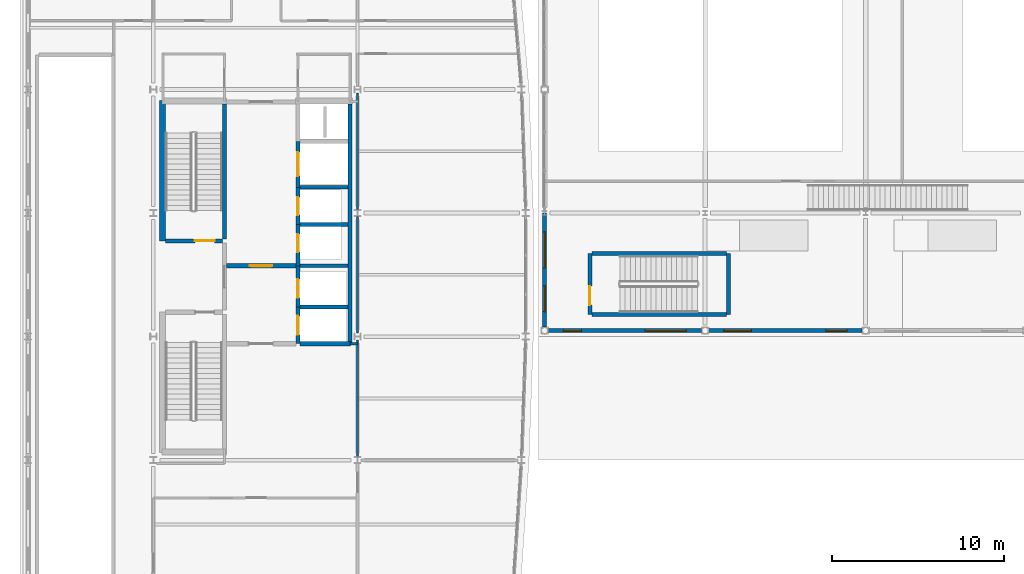
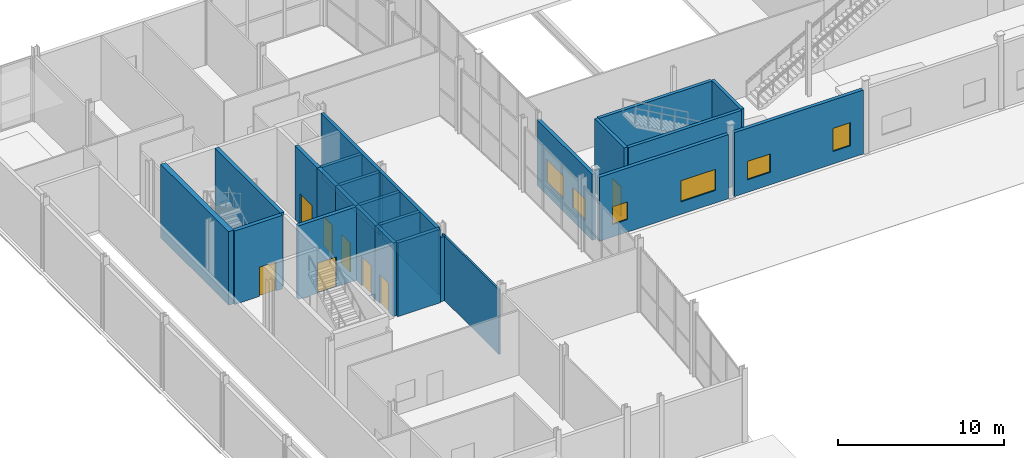
# One storey, part 66 of 83: 26 walls, 8 doors, 6 windows, 14 openings.
"""IFC4 building model written with IfcOpenShell, lengths in metres."""

import ifcopenshell
import ifcopenshell.guid

model = None  # the IFC model being written
_history = None  # IfcOwnerHistory: only IFC2X3 demands one
_inside = {}  # id of a spatial element -> (the spatial element, [elements in it])
_under = {}  # id of a project, library or spatial element -> (it, [spatial elements below it])
_declared = {}  # id of a project -> (the project, [libraries it declares])
_typed = {}  # id of a type object -> (the type object, [elements of that type])
_made_of = {}  # id of a material, layer set ... -> (it, [elements and type objects made of it])


def new_model(schema):
    """Start an empty IFC model of exactly this schema.

    Asked for "IFC4X3", IfcOpenShell would pick the latest addendum, in which some entities
    have other attributes; the version numbers below select the first issue.
    IFC2X3 requires an IfcOwnerHistory on every rooted entity: one is made here for all.
    """
    global model, _history
    if schema == "IFC4X3":
        model = ifcopenshell.file(schema_version=(4, 3, 0, 0))
    else:
        model = ifcopenshell.file(schema=schema)
    _inside.clear()
    _under.clear()
    _declared.clear()
    _typed.clear()
    _made_of.clear()
    _history = None
    if model.schema == "IFC2X3":
        org = make("IfcOrganization", Name="unknown")
        user = make(
            "IfcPersonAndOrganization",
            ThePerson=make("IfcPerson", FamilyName="unknown"),
            TheOrganization=org,
        )
        app = make(
            "IfcApplication",
            ApplicationDeveloper=org,
            Version="unknown",
            ApplicationFullName="unknown",
            ApplicationIdentifier="unknown",
        )
        _history = make(
            "IfcOwnerHistory",
            OwningUser=user,
            OwningApplication=app,
            ChangeAction="ADDED",
            CreationDate=0,
        )
    return model


def make(cls, **values):
    """One entity of the class cls with the attributes given. An attribute that is None is left unset."""
    return model.create_entity(
        cls, **{name: value for name, value in values.items() if value is not None}
    )


def rooted(cls, **values):
    """An entity with a GlobalId (a new one), such as an element, a storey or a relation."""
    return make(cls, GlobalId=ifcopenshell.guid.new(), OwnerHistory=_history, **values)


def si_unit(unit_type, name, prefix=None):
    """IfcSIUnit, for example si_unit("LENGTHUNIT", "METRE", prefix="MILLI")."""
    return make("IfcSIUnit", UnitType=unit_type, Prefix=prefix, Name=name)


def assignment(units):
    """IfcUnitAssignment: the units of a project."""
    return None if units is None else make("IfcUnitAssignment", Units=units)


def point(xyz):
    """IfcCartesianPoint."""
    return None if xyz is None else make("IfcCartesianPoint", Coordinates=xyz)


def direction(xyz):
    """IfcDirection."""
    return None if xyz is None else make("IfcDirection", DirectionRatios=xyz)


def frame(location, z_axis=None, x_axis=None):
    """IfcAxis2Placement3D, a coordinate frame: its origin and axes. An axis left out is left unset."""
    return make(
        "IfcAxis2Placement3D",
        Location=point(location),
        Axis=direction(z_axis),
        RefDirection=direction(x_axis),
    )


def frame_2d(location, x_axis=None):
    """IfcAxis2Placement2D, a coordinate frame in the plane: its origin and x axis."""
    return make(
        "IfcAxis2Placement2D", Location=point(location), RefDirection=direction(x_axis)
    )


def origin():
    """The frame at (0, 0, 0) with its axes left unset."""
    return frame((0.0, 0.0, 0.0))


def place(relative_to, where):
    """IfcLocalPlacement: puts the frame where relative to a parent placement (None: the world)."""
    return make(
        "IfcLocalPlacement", PlacementRelTo=relative_to, RelativePlacement=where
    )


def context(
    kind, dimensions, precision=None, world=None, true_north=None, identifier=None
):
    """IfcGeometricRepresentationContext, for example the 3D "Model" context."""
    return make(
        "IfcGeometricRepresentationContext",
        ContextIdentifier=identifier,
        ContextType=kind,
        CoordinateSpaceDimension=dimensions,
        Precision=precision,
        WorldCoordinateSystem=world,
        TrueNorth=true_north,
    )


def subcontext(parent, identifier, kind, view, scale=None):
    """IfcGeometricRepresentationSubContext, for example "Body" below "Model"."""
    return make(
        "IfcGeometricRepresentationSubContext",
        ContextIdentifier=identifier,
        ContextType=kind,
        ParentContext=parent,
        TargetScale=scale,
        TargetView=view,
    )


def project(units=None, contexts=None):
    """IfcProject with its units and contexts."""
    return rooted(
        "IfcProject",
        Name="project",
        RepresentationContexts=contexts,
        UnitsInContext=assignment(units),
    )


def spatial(cls, under=None, at=None, **own):
    """A site, building, storey or space (cls), placed at a placement, below another one or the project."""
    s = rooted(cls, ObjectPlacement=at, **own)
    if under is not None:
        _under.setdefault(under.id(), (under, []))[1].append(s)
    return s


def profile(cls, at=None, kind="AREA", **sizes):
    """A parametric profile (cls). Its sizes go by their IFC names, for example OverallWidth=200.0."""
    return make(cls, ProfileType=kind, Position=at, **sizes)


def rectangle(**sizes):
    """IfcRectangleProfileDef."""
    return profile("IfcRectangleProfileDef", **sizes)


def extrude(swept, where, along, depth):
    """IfcExtrudedAreaSolid: the profile swept, set in the frame where, extruded along a direction by depth."""
    return make(
        "IfcExtrudedAreaSolid",
        SweptArea=swept,
        Position=where,
        ExtrudedDirection=direction(along),
        Depth=depth,
    )


def shape(context_of_items, identifier, shape_type, items):
    """IfcShapeRepresentation: the items that make up one representation, for example the "Body"."""
    return make(
        "IfcShapeRepresentation",
        ContextOfItems=context_of_items,
        RepresentationIdentifier=identifier,
        RepresentationType=shape_type,
        Items=items,
    )


def material(Name=None, Category=None):
    """IfcMaterial."""
    return make("IfcMaterial", Name=Name, Category=Category)


def layer(
    of_material, thickness, ventilated=None, Name=None, Category=None, Priority=None
):
    """IfcMaterialLayer: one layer of a wall or slab, of a material (None: an air gap)."""
    return make(
        "IfcMaterialLayer",
        Material=of_material,
        LayerThickness=thickness,
        IsVentilated=ventilated,
        Name=Name,
        Category=Category,
        Priority=Priority,
    )


def layer_set(layers, Name=None):
    """IfcMaterialLayerSet."""
    return make("IfcMaterialLayerSet", MaterialLayers=layers, LayerSetName=Name)


def made_of(thing, what):
    """Note that an element or type object is made of a material, layer set ...; save() writes the relation."""
    if what is not None:
        _made_of.setdefault(what.id(), (what, []))[1].append(thing)
    return thing


def type_object(cls, material=None, **own):
    """A type object (cls), such as IfcWallType, which elements share."""
    return made_of(rooted(cls, **own), material)


def element(
    cls,
    number,
    at=None,
    inside=None,
    cuts=None,
    type_object=None,
    material=None,
    context=None,
    identifier="Body",
    shape_type=None,
    held_by="IfcProductDefinitionShape",
    body=None,
    shapes=None,
    **own,
):
    """One element of the class cls, such as IfcWall. Its Tag is "e" and its number.

    at: its placement. inside: the storey or other place that contains it. cuts: it is an
    opening in that element (IfcRelVoidsElement). A single representation is given by context,
    identifier, shape_type and body (its items); several are given by shapes. held_by: the class
    of the entity that holds the representations. save() writes the other relations.
    """
    e = rooted(cls, Tag="e%d" % number, ObjectPlacement=at, **own)
    if body is not None:
        shapes = [shape(context, identifier, shape_type, body)]
    if shapes is not None:
        e.Representation = make(held_by, Representations=shapes)
    if inside is not None:
        _inside.setdefault(inside.id(), (inside, []))[1].append(e)
    if cuts is not None:
        rooted(
            "IfcRelVoidsElement", RelatingBuildingElement=cuts, RelatedOpeningElement=e
        )
    if type_object is not None:
        _typed.setdefault(type_object.id(), (type_object, []))[1].append(e)
    return made_of(e, material)


def fill(opening, filler):
    """IfcRelFillsElement: the door or window that sits in an opening."""
    return rooted(
        "IfcRelFillsElement",
        RelatingOpeningElement=opening,
        RelatedBuildingElement=filler,
    )


def aggregate(whole, parts):
    """IfcRelAggregates: a whole, such as a stair, and the parts it consists of."""
    return rooted("IfcRelAggregates", RelatingObject=whole, RelatedObjects=parts)


def save(model, path):
    """Write the relations noted so far, then the file.

    IfcRelAggregates (storeys below a building ...), IfcRelContainedInSpatialStructure (elements
    in a storey), IfcRelDefinesByType, IfcRelAssociatesMaterial and IfcRelDeclares: one each for
    every whole, place, type object, material and project.
    """
    for whole, parts in _under.values():
        aggregate(whole, parts)
    for where, things in _inside.values():
        rooted(
            "IfcRelContainedInSpatialStructure",
            RelatedElements=things,
            RelatingStructure=where,
        )
    for kind, things in _typed.values():
        rooted("IfcRelDefinesByType", RelatedObjects=things, RelatingType=kind)
    for what, things in _made_of.values():
        rooted("IfcRelAssociatesMaterial", RelatedObjects=things, RelatingMaterial=what)
    for by, libraries in _declared.values():
        rooted("IfcRelDeclares", RelatingContext=by, RelatedDefinitions=libraries)
    model.write(path)


model = new_model("IFC4")

# Units and contexts
model_context = context("Model", 3, precision=1e-05, world=origin(), true_north=direction((0.0, 1.0)))
body_context = subcontext(model_context, "Body", "Model", "MODEL_VIEW")
ifc_project = project(units=[si_unit("LENGTHUNIT", "METRE"), si_unit("AREAUNIT", "SQUARE_METRE"), si_unit("VOLUMEUNIT", "CUBIC_METRE"), si_unit("PLANEANGLEUNIT", "RADIAN"), si_unit("MASSUNIT", "GRAM", prefix="KILO")], contexts=[model_context])

# Site, building, storey
site_placement = place(None, origin())
site = spatial("IfcSite", under=ifc_project, at=site_placement, CompositionType="ELEMENT")
building_placement = place(site_placement, origin())
building = spatial("IfcBuilding", under=site, at=building_placement, Name="Quillay Park Conservatory", CompositionType="ELEMENT")
storey_placement = place(building_placement, origin())
storey = spatial("IfcBuildingStorey", under=building, at=storey_placement, Name="L00", CompositionType="ELEMENT", Elevation=0.0)

# Walls
ifc_material_1 = material(Name="Steel-Stud Acoustic Gypsum Board Partition", Category="steel")
ifc_layer_1 = layer(ifc_material_1, 0.1201171875)
ifc_layer_set_1 = layer_set([ifc_layer_1], Name="ACOUSTIC GYPSUM PARTITION 120 (Steel-Stud Acoustic Gypsum Board Partition)")
wall_type_1 = type_object("IfcWallType", Name="ACOUSTIC GYPSUM PARTITION 120", PredefinedType="PARTITIONING", material=ifc_layer_set_1)
wall_1_placement = place(storey_placement, frame((19.75, 99.405517578125, 0.0), z_axis=(0.0, 0.0, 1.0), x_axis=(0.0, -1.0, 0.0)))
element("IfcWall", 1, at=wall_1_placement, inside=storey, type_object=wall_type_1, Name="L00 East Lab West Wall M2", PredefinedType="PARTITIONING", context=body_context, shape_type="SweptSolid", body=[
    extrude(rectangle(XDim=6.81396484375, YDim=0.1201171875, at=frame_2d((3.406982421875, 0.0))), origin(), (0.0, 0.0, 1.0), 4.72705078125),
])
ifc_material_2 = material(Name="Steel-Stud Acoustic Gypsum Board Partition", Category="steel")
ifc_layer_2 = layer(ifc_material_2, 0.125)
ifc_layer_set_2 = layer_set([ifc_layer_2], Name="ACOUSTIC GYPSUM PARTITION 125 (Steel-Stud Acoustic Gypsum Board Partition)")
wall_type_2 = type_object("IfcWallType", Name="ACOUSTIC GYPSUM PARTITION 125", PredefinedType="PARTITIONING", material=ifc_layer_set_2)
wall_2_placement = place(storey_placement, frame((19.75, 92.20849609375, 0.0), z_axis=(0.0, 0.0, 1.0), x_axis=(0.0, -1.0, 0.0)))
element("IfcWall", 2, at=wall_2_placement, inside=storey, type_object=wall_type_2, Name="L00 East Lab West Wall M1", PredefinedType="PARTITIONING", context=body_context, shape_type="SweptSolid", body=[
    extrude(rectangle(XDim=6.81396484375, YDim=0.125, at=frame_2d((3.406982421875, 0.0))), origin(), (0.0, 0.0, 1.0), 4.72705078125),
])
ifc_material_3 = material(Name="Steel-Stud Acoustic Gypsum Board Partition", Category="steel")
ifc_layer_3 = layer(ifc_material_3, 0.1298828125)
ifc_layer_set_3 = layer_set([ifc_layer_3], Name="ACOUSTIC GYPSUM PARTITION 130 (Steel-Stud Acoustic Gypsum Board Partition)")
wall_type_3 = type_object("IfcWallType", Name="ACOUSTIC GYPSUM PARTITION 130", PredefinedType="PARTITIONING", material=ifc_layer_set_3)
wall_3_placement = place(storey_placement, frame((19.75, 85.005615234375, 0.0), z_axis=(0.0, 0.0, 1.0), x_axis=(0.0, -1.0, 0.0)))
element("IfcWall", 3, at=wall_3_placement, inside=storey, type_object=wall_type_3, Name="L00 East Lab West Wall S", PredefinedType="PARTITIONING", context=body_context, shape_type="SweptSolid", body=[
    extrude(rectangle(XDim=6.814208984375, YDim=0.1298828125, at=frame_2d((3.4072265625, 0.0))), origin(), (0.0, 0.0, 1.0), 4.72705078125),
])
ifc_material_4 = material(Name="Steel-Stud Acoustic Gypsum Board Partition", Category="steel")
ifc_layer_4 = layer(ifc_material_4, 0.14990234375)
ifc_layer_set_4 = layer_set([ifc_layer_4], Name="ACOUSTIC GYPSUM PARTITION 150 (Steel-Stud Acoustic Gypsum Board Partition)")
wall_type_4 = type_object("IfcWallType", Name="ACOUSTIC GYPSUM PARTITION 150", PredefinedType="PARTITIONING", material=ifc_layer_set_4)
wall_4_placement = place(storey_placement, frame((19.320068359375, 84.77490234375, 0.0), z_axis=(0.0, 0.0, 1.0), x_axis=(1.0, 0.0, 0.0)))
element("IfcWall", 4, at=wall_4_placement, inside=storey, type_object=wall_type_4, Name="L00 Core South-East Closure", PredefinedType="PARTITIONING", context=body_context, shape_type="SweptSolid", body=[
    extrude(rectangle(XDim=0.429931640625, YDim=0.14990234375, at=frame_2d((0.21484375, 0.0))), origin(), (0.0, 0.0, 1.0), 4.72705078125),
])
ifc_material_5 = material(Name="Concrete C35/45 (NCh170 Concrete C35/45)", Category="concrete")
ifc_layer_5 = layer(ifc_material_5, 0.22509765625)
ifc_layer_set_5 = layer_set([ifc_layer_5], Name="CORE SHEAR WALL 225 (Concrete C35/45 (NCh170 Concrete C35/45))")
wall_type_5 = type_object("IfcWallType", Name="CORE SHEAR WALL 225", PredefinedType="SHEAR", material=ifc_layer_set_5)
wall_5_placement = place(storey_placement, frame((19.320068359375, 84.800048828125, 0.0), z_axis=(0.0, 0.0, 1.0), x_axis=(0.0, 1.0, 0.0)))
element("IfcWall", 5, at=wall_5_placement, inside=storey, type_object=wall_type_5, Name="L00 Core Shear Wall WL-LFBACK-L00", PredefinedType="SHEAR", context=body_context, shape_type="SweptSolid", body=[
    extrude(rectangle(XDim=13.949951171875, YDim=0.22509765625, at=frame_2d((6.97509765625, 0.0))), origin(), (0.0, 0.0, 1.0), 5.39990234375),
])
for number, where, z_axis, x_axis, name in (
    (6, (16.39990234375, 86.925048828125, 0.0), (0.0, 0.0, 1.0), (1.0, 0.0, 0.0), "L00 Core Shear Wall WL-LFDIV-L00-869"),
    (7, (16.39990234375, 89.324951171875, 0.0), (0.0, 0.0, 1.0), (1.0, 0.0, 0.0), "L00 Core Shear Wall WL-LFDIV-L00-893"),
    (8, (16.39990234375, 91.72509765625, 0.0), (0.0, 0.0, 1.0), (1.0, 0.0, 0.0), "L00 Core Shear Wall WL-LFDIV-L00-917"),
    (9, (16.39990234375, 93.89990234375, 0.0), (0.0, 0.0, 1.0), (1.0, 0.0, 0.0), "L00 Core Shear Wall WL-LFDIV-L00-939"),
):
    element("IfcWall", number, at=place(storey_placement, frame(where, z_axis=z_axis, x_axis=x_axis)), inside=storey, type_object=wall_type_5, Name=name, PredefinedType="SHEAR", context=body_context, shape_type="SweptSolid", body=[
        extrude(rectangle(XDim=2.800048828125, YDim=0.22509765625, at=frame_2d((1.39990234375, 0.0))), origin(), (0.0, 0.0, 1.0), 5.39990234375),
    ])
for number, where, z_axis, x_axis, name in (
    (10, (33.39990234375, 86.487548828125, 0.0), (0.0, 0.0, 1.0), (1.0, 0.0, 0.0), "L00 Core Shear Wall WL-STC1S-L00"),
    (11, (33.39990234375, 90.032470703125, 0.0), (0.0, 0.0, 1.0), (1.0, 0.0, 0.0), "L00 Core Shear Wall WL-STC1N-L00"),
):
    element("IfcWall", number, at=place(storey_placement, frame(where, z_axis=z_axis, x_axis=x_axis)), inside=storey, type_object=wall_type_5, Name=name, PredefinedType="SHEAR", context=body_context, shape_type="SweptSolid", body=[
        extrude(rectangle(XDim=7.85009765625, YDim=0.22509765625, at=frame_2d((3.925048828125, 0.0))), origin(), (0.0, 0.0, 1.0), 5.39990234375),
    ])
wall_6_placement = place(storey_placement, frame((41.362548828125, 86.487548828125, 0.0), z_axis=(0.0, 0.0, 1.0), x_axis=(0.0, 1.0, 0.0)))
element("IfcWall", 12, at=wall_6_placement, inside=storey, type_object=wall_type_5, Name="L00 Core Shear Wall WL-STC1E-L00", PredefinedType="SHEAR", context=body_context, shape_type="SweptSolid", body=[
    extrude(rectangle(XDim=3.544921875, YDim=0.22509765625, at=frame_2d((1.7724609375, 0.0))), origin(), (0.0, 0.0, 1.0), 5.39990234375),
])

# Wall, opening, door
wall_7_placement = place(storey_placement, frame((33.28759765625, 86.487548828125, 0.0), z_axis=(0.0, 0.0, 1.0), x_axis=(0.0, 1.0, 0.0)))
wall_7 = element("IfcWall", 13, at=wall_7_placement, inside=storey, type_object=wall_type_5, Name="L00 Core Shear Wall WL-STC1D-L00", PredefinedType="SHEAR", context=body_context, shape_type="SweptSolid", body=[
    extrude(rectangle(XDim=3.544921875, YDim=0.22509765625, at=frame_2d((1.7724609375, 0.0))), origin(), (0.0, 0.0, 1.0), 5.39990234375),
])
opening_1_placement = place(wall_7_placement, frame((0.550048828125, 0.0, 0.0)))
opening_1 = element("IfcOpeningElement", 14, at=opening_1_placement, cuts=wall_7, Name="Opening D-ST01", PredefinedType="OPENING", context=body_context, shape_type="SweptSolid", body=[
    extrude(rectangle(XDim=1.10009765625, YDim=2.14990234375, at=frame_2d((0.550048828125, 1.074951171875))), frame((0.0, 0.112548828125, 0.0), z_axis=(0.0, -1.0, 0.0), x_axis=(1.0, 0.0, 0.0)), (0.0, 0.0, 1.0), 0.22509765625),
])
ifc_material_6 = material(Name="Steel ASTM A572 Grade 50", Category="steel")
door_type_1 = type_object("IfcDoorType", Name="FIRE RATED STAIR DOOR 1100 X2150", OperationType="NOTDEFINED", PredefinedType="DOOR", material=ifc_material_6)
door_1_placement = place(opening_1_placement, origin())
door_1 = element("IfcDoor", 15, at=door_1_placement, inside=storey, type_object=door_type_1, Name="L00 Conservatory Stair ST-C1 Door", OperationType="SINGLE_SWING_LEFT", OverallHeight=2.14990234375, OverallWidth=1.10009765625, PredefinedType="DOOR", context=body_context, shape_type="SweptSolid", body=[
    extrude(rectangle(XDim=1.10009765625, YDim=2.14990234375, at=frame_2d((0.550048828125, 1.074951171875))), frame((0.0, 0.02490234375, 0.0), z_axis=(0.0, -1.0, 0.0), x_axis=(1.0, 0.0, 0.0)), (0.0, 0.0, 1.0), 0.050048828125),
])
fill(opening_1, door_1)

# Wall
ifc_material_7 = material(Name="Concrete C40/50 (NCh170 Concrete C40/50)", Category="concrete")
ifc_layer_6 = layer(ifc_material_7, 0.25)
ifc_layer_set_6 = layer_set([ifc_layer_6], Name="CORE SHEAR WALL 250 (Concrete C40/50 (NCh170 Concrete C40/50))")
wall_type_6 = type_object("IfcWallType", Name="CORE SHEAR WALL 250", PredefinedType="SHEAR", material=ifc_layer_set_6)
wall_8_placement = place(storey_placement, frame((11.9951171875, 90.89990234375, 0.0), z_axis=(0.0, 0.0, 1.0), x_axis=(0.0, 1.0, 0.0)))
element("IfcWall", 16, at=wall_8_placement, inside=storey, type_object=wall_type_6, Name="L00 Core Shear Wall WL-T1E-L00", PredefinedType="SHEAR", context=body_context, shape_type="SweptSolid", body=[
    extrude(rectangle(XDim=7.85009765625, YDim=0.25, at=frame_2d((3.925048828125, 0.0))), origin(), (0.0, 0.0, 1.0), 5.39990234375),
])

# Wall, opening, door
wall_9_placement = place(storey_placement, frame((11.8701171875, 90.77490234375, 0.0), z_axis=(0.0, 0.0, 1.0), x_axis=(-1.0, 0.0, 0.0)))
wall_9 = element("IfcWall", 17, at=wall_9_placement, inside=storey, type_object=wall_type_6, Name="L00 Core Shear Wall WL-ST1D-L00", PredefinedType="SHEAR", context=body_context, shape_type="SweptSolid", body=[
    extrude(rectangle(XDim=3.320068359375, YDim=0.25, at=frame_2d((1.66015625, 0.0))), origin(), (0.0, 0.0, 1.0), 5.39990234375),
])
opening_2_placement = place(wall_9_placement, frame((0.449951171875, 0.0, 0.0)))
opening_2 = element("IfcOpeningElement", 18, at=opening_2_placement, cuts=wall_9, Name="Opening D-ST02", PredefinedType="OPENING", context=body_context, shape_type="SweptSolid", body=[
    extrude(rectangle(XDim=1.14990234375, YDim=2.14990234375, at=frame_2d((0.574951171875, 1.074951171875))), frame((0.0, 0.125, 0.0), z_axis=(0.0, -1.0, 0.0), x_axis=(1.0, 0.0, 0.0)), (0.0, 0.0, 1.0), 0.25),
])
ifc_material_8 = material(Name="Steel ASTM A572 Grade 50", Category="steel")
door_type_2 = type_object("IfcDoorType", Name="FIRE RATED STAIR DOOR 1150 X2150", OperationType="NOTDEFINED", PredefinedType="DOOR", material=ifc_material_8)
door_2_placement = place(opening_2_placement, origin())
door_2 = element("IfcDoor", 19, at=door_2_placement, inside=storey, type_object=door_type_2, Name="L00 Protected Stair ST-T1 Door", OperationType="SINGLE_SWING_RIGHT", OverallHeight=2.14990234375, OverallWidth=1.14990234375, PredefinedType="DOOR", context=body_context, shape_type="SweptSolid", body=[
    extrude(rectangle(XDim=1.14990234375, YDim=2.14990234375, at=frame_2d((0.574951171875, 1.074951171875))), frame((0.0, 0.02490234375, 0.0), z_axis=(0.0, -1.0, 0.0), x_axis=(1.0, 0.0, 0.0)), (0.0, 0.0, 1.0), 0.050048828125),
])
fill(opening_2, door_2)

wall_10_placement = place(storey_placement, frame((12.1201171875, 89.324951171875, 0.0), z_axis=(0.0, 0.0, 1.0), x_axis=(1.0, 0.0, 0.0)))
wall_10 = element("IfcWall", 20, at=wall_10_placement, inside=storey, type_object=wall_type_6, Name="L00 Core Shear Wall WL-FFDIV-L00", PredefinedType="SHEAR", context=body_context, shape_type="SweptSolid", body=[
    extrude(rectangle(XDim=4.02978515625, YDim=0.25, at=frame_2d((2.014892578125, 0.0))), origin(), (0.0, 0.0, 1.0), 5.39990234375),
])
opening_3_placement = place(wall_10_placement, frame((1.35009765625, 0.0, 0.0)))
opening_3 = element("IfcOpeningElement", 21, at=opening_3_placement, cuts=wall_10, Name="Opening D-LB02", PredefinedType="OPENING", context=body_context, shape_type="SweptSolid", body=[
    extrude(rectangle(XDim=1.300048828125, YDim=2.199951171875, at=frame_2d((0.64990234375, 1.10009765625))), frame((0.0, 0.125, 0.0), z_axis=(0.0, -1.0, 0.0), x_axis=(1.0, 0.0, 0.0)), (0.0, 0.0, 1.0), 0.25),
])
ifc_material_9 = material(Name="Steel ASTM A572 Grade 50", Category="steel")
door_type_3 = type_object("IfcDoorType", Name="FIRE RATED LOBBY DOOR 1300 X2200", OperationType="NOTDEFINED", PredefinedType="DOOR", material=ifc_material_9)
door_3_placement = place(opening_3_placement, origin())
door_3 = element("IfcDoor", 22, at=door_3_placement, inside=storey, type_object=door_type_3, Name="L00 Firefighting to Passenger Lobby Door", OperationType="SINGLE_SWING_LEFT", OverallHeight=2.199951171875, OverallWidth=1.300048828125, PredefinedType="DOOR", context=body_context, shape_type="SweptSolid", body=[
    extrude(rectangle(XDim=1.300048828125, YDim=2.199951171875, at=frame_2d((0.64990234375, 1.10009765625))), frame((0.0, 0.02490234375, 0.0), z_axis=(0.0, -1.0, 0.0), x_axis=(1.0, 0.0, 0.0)), (0.0, 0.0, 1.0), 0.050048828125),
])
fill(opening_3, door_3)

# Wall
wall_11_placement = place(storey_placement, frame((16.39990234375, 84.77490234375, 0.0), z_axis=(0.0, 0.0, 1.0), x_axis=(1.0, 0.0, 0.0)))
element("IfcWall", 23, at=wall_11_placement, inside=storey, type_object=wall_type_6, Name="L00 Core Shear Wall WL-LFSO-L00", PredefinedType="SHEAR", context=body_context, shape_type="SweptSolid", body=[
    extrude(rectangle(XDim=2.9501953125, YDim=0.25, at=frame_2d((1.47509765625, 0.0))), origin(), (0.0, 0.0, 1.0), 5.39990234375),
])

# Wall, opening, door
wall_12_placement = place(storey_placement, frame((16.27490234375, 84.800048828125, 0.0), z_axis=(0.0, 0.0, 1.0), x_axis=(0.0, 1.0, 0.0)))
wall_12 = element("IfcWall", 24, at=wall_12_placement, inside=storey, type_object=wall_type_6, Name="L00 Core Shear Wall WL-LFFR-L00-LF-FF1", PredefinedType="SHEAR", context=body_context, shape_type="SweptSolid", body=[
    extrude(rectangle(XDim=2.125, YDim=0.25, at=frame_2d((1.0625, 0.0))), origin(), (0.0, 0.0, 1.0), 5.39990234375),
])
opening_4_placement = place(wall_12_placement, frame((0.5, 0.0, 0.0)))
opening_4 = element("IfcOpeningElement", 25, at=opening_4_placement, cuts=wall_12, Name="Opening LD01", PredefinedType="OPENING", context=body_context, shape_type="SweptSolid", body=[
    extrude(rectangle(XDim=1.10009765625, YDim=2.14990234375, at=frame_2d((0.550048828125, 1.074951171875))), frame((0.0, 0.125, 0.0), z_axis=(0.0, -1.0, 0.0), x_axis=(1.0, 0.0, 0.0)), (0.0, 0.0, 1.0), 0.25),
])
ifc_material_10 = material(Name="Steel ASTM A572 Grade 50", Category="steel")
door_type_4 = type_object("IfcDoorType", Name="LIFT LANDING SLIDING DOOR 1100 X2150", OperationType="NOTDEFINED", PredefinedType="DOOR", material=ifc_material_10)
door_4_placement = place(opening_4_placement, origin())
door_4 = element("IfcDoor", 26, at=door_4_placement, inside=storey, type_object=door_type_4, Name="L00 LF-FF1 Lift Landing Door LD01", OperationType="SLIDING_TO_LEFT", OverallHeight=2.14990234375, OverallWidth=1.10009765625, PredefinedType="DOOR", context=body_context, shape_type="SweptSolid", body=[
    extrude(rectangle(XDim=1.10009765625, YDim=2.14990234375, at=frame_2d((0.550048828125, 1.074951171875))), frame((0.0, 0.02490234375, 0.0), z_axis=(0.0, -1.0, 0.0), x_axis=(1.0, 0.0, 0.0)), (0.0, 0.0, 1.0), 0.050048828125),
])
fill(opening_4, door_4)

wall_13_placement = place(storey_placement, frame((16.27490234375, 86.925048828125, 0.0), z_axis=(0.0, 0.0, 1.0), x_axis=(0.0, 1.0, 0.0)))
wall_13 = element("IfcWall", 27, at=wall_13_placement, inside=storey, type_object=wall_type_6, Name="L00 Core Shear Wall WL-LFFR-L00-LF-FF2", PredefinedType="SHEAR", context=body_context, shape_type="SweptSolid", body=[
    extrude(rectangle(XDim=2.39990234375, YDim=0.25, at=frame_2d((1.199951171875, 0.0))), origin(), (0.0, 0.0, 1.0), 5.39990234375),
])
opening_5_placement = place(wall_13_placement, frame((0.52490234375, 0.0, 0.0)))
opening_5 = element("IfcOpeningElement", 28, at=opening_5_placement, cuts=wall_13, Name="Opening LD01", PredefinedType="OPENING", context=body_context, shape_type="SweptSolid", body=[
    extrude(rectangle(XDim=1.10009765625, YDim=2.14990234375, at=frame_2d((0.550048828125, 1.074951171875))), frame((0.0, 0.125, 0.0), z_axis=(0.0, -1.0, 0.0), x_axis=(1.0, 0.0, 0.0)), (0.0, 0.0, 1.0), 0.25),
])
door_5_placement = place(opening_5_placement, origin())
door_5 = element("IfcDoor", 29, at=door_5_placement, inside=storey, type_object=door_type_4, Name="L00 LF-FF2 Lift Landing Door LD01", OperationType="SLIDING_TO_LEFT", OverallHeight=2.14990234375, OverallWidth=1.10009765625, PredefinedType="DOOR", context=body_context, shape_type="SweptSolid", body=[
    extrude(rectangle(XDim=1.10009765625, YDim=2.14990234375, at=frame_2d((0.550048828125, 1.074951171875))), frame((0.0, 0.02490234375, 0.0), z_axis=(0.0, -1.0, 0.0), x_axis=(1.0, 0.0, 0.0)), (0.0, 0.0, 1.0), 0.050048828125),
])
fill(opening_5, door_5)

wall_14_placement = place(storey_placement, frame((16.27490234375, 89.324951171875, 0.0), z_axis=(0.0, 0.0, 1.0), x_axis=(0.0, 1.0, 0.0)))
wall_14 = element("IfcWall", 30, at=wall_14_placement, inside=storey, type_object=wall_type_6, Name="L00 Core Shear Wall WL-LFFR-L00-LF-P1", PredefinedType="SHEAR", context=body_context, shape_type="SweptSolid", body=[
    extrude(rectangle(XDim=2.400146484375, YDim=0.25, at=frame_2d((1.2001953125, 0.0))), origin(), (0.0, 0.0, 1.0), 5.39990234375),
])
opening_6_placement = place(wall_14_placement, frame((0.800048828125, 0.0, 0.0)))
opening_6 = element("IfcOpeningElement", 31, at=opening_6_placement, cuts=wall_14, Name="Opening LD02", PredefinedType="OPENING", context=body_context, shape_type="SweptSolid", body=[
    extrude(rectangle(XDim=1.050048828125, YDim=2.14990234375, at=frame_2d((0.52490234375, 1.074951171875))), frame((0.0, 0.125, 0.0), z_axis=(0.0, -1.0, 0.0), x_axis=(1.0, 0.0, 0.0)), (0.0, 0.0, 1.0), 0.25),
])
ifc_material_11 = material(Name="Steel ASTM A572 Grade 50", Category="steel")
door_type_5 = type_object("IfcDoorType", Name="LIFT LANDING SLIDING DOOR 1050 X2150", OperationType="NOTDEFINED", PredefinedType="DOOR", material=ifc_material_11)
door_6_placement = place(opening_6_placement, origin())
door_6 = element("IfcDoor", 32, at=door_6_placement, inside=storey, type_object=door_type_5, Name="L00 LF-P1 Lift Landing Door LD02", OperationType="SLIDING_TO_LEFT", OverallHeight=2.14990234375, OverallWidth=1.050048828125, PredefinedType="DOOR", context=body_context, shape_type="SweptSolid", body=[
    extrude(rectangle(XDim=1.050048828125, YDim=2.14990234375, at=frame_2d((0.52490234375, 1.074951171875))), frame((0.0, 0.02490234375, 0.0), z_axis=(0.0, -1.0, 0.0), x_axis=(1.0, 0.0, 0.0)), (0.0, 0.0, 1.0), 0.050048828125),
])
fill(opening_6, door_6)

wall_15_placement = place(storey_placement, frame((16.27490234375, 91.72509765625, 0.0), z_axis=(0.0, 0.0, 1.0), x_axis=(0.0, 1.0, 0.0)))
wall_15 = element("IfcWall", 33, at=wall_15_placement, inside=storey, type_object=wall_type_6, Name="L00 Core Shear Wall WL-LFFR-L00-LF-P2", PredefinedType="SHEAR", context=body_context, shape_type="SweptSolid", body=[
    extrude(rectangle(XDim=2.1748046875, YDim=0.25, at=frame_2d((1.08740234375, 0.0))), origin(), (0.0, 0.0, 1.0), 5.39990234375),
])
opening_7_placement = place(wall_15_placement, frame((0.550048828125, 0.0, 0.0)))
opening_7 = element("IfcOpeningElement", 34, at=opening_7_placement, cuts=wall_15, Name="Opening LD02", PredefinedType="OPENING", context=body_context, shape_type="SweptSolid", body=[
    extrude(rectangle(XDim=1.050048828125, YDim=2.14990234375, at=frame_2d((0.52490234375, 1.074951171875))), frame((0.0, 0.125, 0.0), z_axis=(0.0, -1.0, 0.0), x_axis=(1.0, 0.0, 0.0)), (0.0, 0.0, 1.0), 0.25),
])
door_7_placement = place(opening_7_placement, origin())
door_7 = element("IfcDoor", 35, at=door_7_placement, inside=storey, type_object=door_type_5, Name="L00 LF-P2 Lift Landing Door LD02", OperationType="SLIDING_TO_LEFT", OverallHeight=2.14990234375, OverallWidth=1.050048828125, PredefinedType="DOOR", context=body_context, shape_type="SweptSolid", body=[
    extrude(rectangle(XDim=1.050048828125, YDim=2.14990234375, at=frame_2d((0.52490234375, 1.074951171875))), frame((0.0, 0.02490234375, 0.0), z_axis=(0.0, -1.0, 0.0), x_axis=(1.0, 0.0, 0.0)), (0.0, 0.0, 1.0), 0.050048828125),
])
fill(opening_7, door_7)

wall_16_placement = place(storey_placement, frame((16.27490234375, 93.89990234375, 0.0), z_axis=(0.0, 0.0, 1.0), x_axis=(0.0, 1.0, 0.0)))
wall_16 = element("IfcWall", 36, at=wall_16_placement, inside=storey, type_object=wall_type_6, Name="L00 Core Shear Wall WL-LFFR-L00-LF-G1", PredefinedType="SHEAR", context=body_context, shape_type="SweptSolid", body=[
    extrude(rectangle(XDim=2.675048828125, YDim=0.25, at=frame_2d((1.33740234375, 0.0))), origin(), (0.0, 0.0, 1.0), 5.39990234375),
])
opening_8_placement = place(wall_16_placement, frame((0.64990234375, 0.0, 0.0)))
opening_8 = element("IfcOpeningElement", 37, at=opening_8_placement, cuts=wall_16, Name="Opening LD03", PredefinedType="OPENING", context=body_context, shape_type="SweptSolid", body=[
    extrude(rectangle(XDim=1.39990234375, YDim=2.25, at=frame_2d((0.699951171875, 1.125))), frame((0.0, 0.125, 0.0), z_axis=(0.0, -1.0, 0.0), x_axis=(1.0, 0.0, 0.0)), (0.0, 0.0, 1.0), 0.25),
])
ifc_material_12 = material(Name="Steel ASTM A572 Grade 50", Category="steel")
door_type_6 = type_object("IfcDoorType", Name="LIFT LANDING SLIDING DOOR 1400 X2250", OperationType="NOTDEFINED", PredefinedType="DOOR", material=ifc_material_12)
door_8_placement = place(opening_8_placement, origin())
door_8 = element("IfcDoor", 38, at=door_8_placement, inside=storey, type_object=door_type_6, Name="L00 LF-G1 Lift Landing Door LD03", OperationType="SLIDING_TO_LEFT", OverallHeight=2.25, OverallWidth=1.39990234375, PredefinedType="DOOR", context=body_context, shape_type="SweptSolid", body=[
    extrude(rectangle(XDim=1.39990234375, YDim=2.25, at=frame_2d((0.699951171875, 1.125))), frame((0.0, 0.02490234375, 0.0), z_axis=(0.0, -1.0, 0.0), x_axis=(1.0, 0.0, 0.0)), (0.0, 0.0, 1.0), 0.050048828125),
])
fill(opening_8, door_8)

# Wall
ifc_material_13 = material(Name="Concrete C40/50 (NCh170 Concrete C40/50)", Category="concrete")
ifc_layer_7 = layer(ifc_material_13, 0.35009765625)
ifc_layer_set_7 = layer_set([ifc_layer_7], Name="CORE SHEAR WALL 350 (Concrete C40/50 (NCh170 Concrete C40/50))")
wall_type_7 = type_object("IfcWallType", Name="CORE SHEAR WALL 350", PredefinedType="SHEAR", material=ifc_layer_set_7)
wall_17_placement = place(storey_placement, frame((8.375, 90.77490234375, 0.0), z_axis=(0.0, 0.0, 1.0), x_axis=(0.0, 1.0, 0.0)))
element("IfcWall", 39, at=wall_17_placement, inside=storey, type_object=wall_type_7, Name="L00 Core Shear Wall WL-TCW-N-L00", PredefinedType="SHEAR", context=body_context, shape_type="SweptSolid", body=[
    extrude(rectangle(XDim=8.175048828125, YDim=0.35009765625, at=frame_2d((4.08740234375, 0.0))), origin(), (0.0, 0.0, 1.0), 5.39990234375),
])

# Wall, openings, windows
ifc_material_14 = material(Name="Glass-Fibre Reinforced Concrete (GRC) Cladding", Category="concrete")
ifc_layer_8 = layer(ifc_material_14, 0.239990234375)
ifc_layer_set_8 = layer_set([ifc_layer_8], Name="EXTERIOR SOLID WALL 240 (Glass-Fibre Reinforced Concrete (GRC) Cladding)")
wall_type_8 = type_object("IfcWallType", Name="EXTERIOR SOLID WALL 240", PredefinedType="SOLIDWALL", material=ifc_layer_set_8)
wall_18_placement = place(storey_placement, frame((39.804443359375, 85.550048828125, 0.0), z_axis=(0.0, 0.0, 1.0), x_axis=(-1.0, 0.0, 0.0)))
wall_18 = element("IfcWall", 40, at=wall_18_placement, inside=storey, type_object=wall_type_8, Name="L00 External Wall WL-EXT-V1S-L00-0", PredefinedType="SOLIDWALL", context=body_context, shape_type="SweptSolid", body=[
    extrude(rectangle(XDim=8.953125, YDim=0.239990234375, at=frame_2d((4.4765625, 0.0))), origin(), (0.0, 0.0, 1.0), 4.699951171875),
])
opening_9_placement = place(wall_18_placement, frame((0.898681640625, 0.0, 0.919921875)))
opening_9 = element("IfcOpeningElement", 41, at=opening_9_placement, cuts=wall_18, Name="Opening W-11", PredefinedType="OPENING", context=body_context, shape_type="SweptSolid", body=[
    extrude(rectangle(XDim=2.39990234375, YDim=1.550048828125, at=frame_2d((1.199951171875, 0.77490234375))), frame((0.0, 0.1201171875, 0.0), z_axis=(0.0, -1.0, 0.0), x_axis=(1.0, 0.0, 0.0)), (0.0, 0.0, 1.0), 0.239990234375),
])
opening_10_placement = place(wall_18_placement, frame((7.00439453125, 0.0, 0.919921875)))
opening_10 = element("IfcOpeningElement", 42, at=opening_10_placement, cuts=wall_18, Name="Opening W-18", PredefinedType="OPENING", context=body_context, shape_type="SweptSolid", body=[
    extrude(rectangle(XDim=1.050048828125, YDim=1.300048828125, at=frame_2d((0.52490234375, 0.64990234375))), frame((0.0, 0.1201171875, 0.0), z_axis=(0.0, -1.0, 0.0), x_axis=(1.0, 0.0, 0.0)), (0.0, 0.0, 1.0), 0.239990234375),
])
ifc_material_15 = material(Name="Low-E Double Glazing (Laminated Tempered)", Category="glass")
window_type_1 = type_object("IfcWindowType", Name="FIXED CASEMENT WINDOW 1050 X1300", PartitioningType="SINGLE_PANEL", PredefinedType="WINDOW", material=ifc_material_15)
window_1_placement = place(opening_10_placement, origin())
window_1 = element("IfcWindow", 43, at=window_1_placement, inside=storey, type_object=window_type_1, Name="L00 Exterior Window 0336", OverallHeight=1.300048828125, OverallWidth=1.050048828125, PartitioningType="SINGLE_PANEL", PredefinedType="WINDOW", context=body_context, shape_type="SweptSolid", body=[
    extrude(rectangle(XDim=1.050048828125, YDim=1.300048828125, at=frame_2d((0.52490234375, 0.64990234375))), frame((0.0, 0.030029296875, 0.0), z_axis=(0.0, -1.0, 0.0), x_axis=(1.0, 0.0, 0.0)), (0.0, 0.0, 1.0), 0.06005859375),
])
fill(opening_10, window_1)
ifc_material_16 = material(Name="Low-E Double Glazing (Laminated Tempered)", Category="glass")
window_type_2 = type_object("IfcWindowType", Name="FIXED CASEMENT WINDOW 2400 X1550", PartitioningType="DOUBLE_PANEL_VERTICAL", PredefinedType="WINDOW", material=ifc_material_16)
window_2_placement = place(opening_9_placement, origin())
window_2 = element("IfcWindow", 44, at=window_2_placement, inside=storey, type_object=window_type_2, Name="L00 Exterior Window 0335", OverallHeight=1.550048828125, OverallWidth=2.39990234375, PartitioningType="DOUBLE_PANEL_VERTICAL", PredefinedType="WINDOW", context=body_context, shape_type="SweptSolid", body=[
    extrude(rectangle(XDim=2.39990234375, YDim=1.550048828125, at=frame_2d((1.199951171875, 0.77490234375))), frame((0.0, 0.030029296875, 0.0), z_axis=(0.0, -1.0, 0.0), x_axis=(1.0, 0.0, 0.0)), (0.0, 0.0, 1.0), 0.06005859375),
])
fill(opening_9, window_2)

wall_19_placement = place(storey_placement, frame((49.159912109375, 85.550048828125, 0.0), z_axis=(0.0, 0.0, 1.0), x_axis=(-1.0, 0.0, 0.0)))
wall_19 = element("IfcWall", 45, at=wall_19_placement, inside=storey, type_object=wall_type_8, Name="L00 External Wall WL-EXT-V1S-L00-1", PredefinedType="SOLIDWALL", context=body_context, shape_type="SweptSolid", body=[
    extrude(rectangle(XDim=8.953125, YDim=0.239990234375, at=frame_2d((4.4765625, 0.0))), origin(), (0.0, 0.0, 1.0), 4.699951171875),
])
opening_11_placement = place(wall_19_placement, frame((0.898681640625, 0.0, 0.919921875)))
opening_11 = element("IfcOpeningElement", 46, at=opening_11_placement, cuts=wall_19, Name="Opening W-12", PredefinedType="OPENING", context=body_context, shape_type="SweptSolid", body=[
    extrude(rectangle(XDim=1.199951171875, YDim=1.699951171875, at=frame_2d((0.60009765625, 0.85009765625))), frame((0.0, 0.1201171875, 0.0), z_axis=(0.0, -1.0, 0.0), x_axis=(1.0, 0.0, 0.0)), (0.0, 0.0, 1.0), 0.239990234375),
])
opening_12_placement = place(wall_19_placement, frame((6.454345703125, 0.0, 0.919921875)))
opening_12 = element("IfcOpeningElement", 47, at=opening_12_placement, cuts=wall_19, Name="Opening W-19", PredefinedType="OPENING", context=body_context, shape_type="SweptSolid", body=[
    extrude(rectangle(XDim=1.60009765625, YDim=1.35009765625, at=frame_2d((0.800048828125, 0.675048828125))), frame((0.0, 0.1201171875, 0.0), z_axis=(0.0, -1.0, 0.0), x_axis=(1.0, 0.0, 0.0)), (0.0, 0.0, 1.0), 0.239990234375),
])
ifc_material_17 = material(Name="Low-E Double Glazing (Laminated Tempered)", Category="glass")
window_type_3 = type_object("IfcWindowType", Name="FIXED CASEMENT WINDOW 1200 X1700", PartitioningType="SINGLE_PANEL", PredefinedType="WINDOW", material=ifc_material_17)
window_3_placement = place(opening_11_placement, origin())
window_3 = element("IfcWindow", 48, at=window_3_placement, inside=storey, type_object=window_type_3, Name="L00 Exterior Window 0337", OverallHeight=1.699951171875, OverallWidth=1.199951171875, PartitioningType="SINGLE_PANEL", PredefinedType="WINDOW", context=body_context, shape_type="SweptSolid", body=[
    extrude(rectangle(XDim=1.199951171875, YDim=1.699951171875, at=frame_2d((0.60009765625, 0.85009765625))), frame((0.0, 0.030029296875, 0.0), z_axis=(0.0, -1.0, 0.0), x_axis=(1.0, 0.0, 0.0)), (0.0, 0.0, 1.0), 0.06005859375),
])
fill(opening_11, window_3)
ifc_material_18 = material(Name="Low-E Double Glazing (Laminated Tempered)", Category="glass")
window_type_4 = type_object("IfcWindowType", Name="FIXED CASEMENT WINDOW 1600 X1350", PartitioningType="DOUBLE_PANEL_VERTICAL", PredefinedType="WINDOW", material=ifc_material_18)
window_4_placement = place(opening_12_placement, origin())
window_4 = element("IfcWindow", 49, at=window_4_placement, inside=storey, type_object=window_type_4, Name="L00 Exterior Window 0338", OverallHeight=1.35009765625, OverallWidth=1.60009765625, PartitioningType="DOUBLE_PANEL_VERTICAL", PredefinedType="WINDOW", context=body_context, shape_type="SweptSolid", body=[
    extrude(rectangle(XDim=1.60009765625, YDim=1.35009765625, at=frame_2d((0.800048828125, 0.675048828125))), frame((0.0, 0.030029296875, 0.0), z_axis=(0.0, -1.0, 0.0), x_axis=(1.0, 0.0, 0.0)), (0.0, 0.0, 1.0), 0.06005859375),
])
fill(opening_12, window_4)

wall_20_placement = place(storey_placement, frame((30.64990234375, 85.751220703125, 0.0), z_axis=(0.0, 0.0, 1.0), x_axis=(0.0, 1.0, 0.0)))
wall_20 = element("IfcWall", 50, at=wall_20_placement, inside=storey, type_object=wall_type_8, Name="L00 External Wall WL-EXT-V1W-L00", PredefinedType="SOLIDWALL", context=body_context, shape_type="SweptSolid", body=[
    extrude(rectangle(XDim=6.648681640625, YDim=0.239990234375, at=frame_2d((3.32421875, 0.0))), origin(), (0.0, 0.0, 1.0), 4.822021484375),
])
opening_13_placement = place(wall_20_placement, frame((0.898681640625, 0.0, 0.919921875)))
opening_13 = element("IfcOpeningElement", 51, at=opening_13_placement, cuts=wall_20, Name="Opening W-08", PredefinedType="OPENING", context=body_context, shape_type="SweptSolid", body=[
    extrude(rectangle(XDim=1.5, YDim=1.550048828125, at=frame_2d((0.75, 0.77490234375))), frame((0.0, 0.1201171875, 0.0), z_axis=(0.0, -1.0, 0.0), x_axis=(1.0, 0.0, 0.0)), (0.0, 0.0, 1.0), 0.239990234375),
])
opening_14_placement = place(wall_20_placement, frame((3.44873046875, 0.0, 0.919921875)))
opening_14 = element("IfcOpeningElement", 52, at=opening_14_placement, cuts=wall_20, Name="Opening W-15", PredefinedType="OPENING", context=body_context, shape_type="SweptSolid", body=[
    extrude(rectangle(XDim=2.10009765625, YDim=1.699951171875, at=frame_2d((1.050048828125, 0.85009765625))), frame((0.0, 0.1201171875, 0.0), z_axis=(0.0, -1.0, 0.0), x_axis=(1.0, 0.0, 0.0)), (0.0, 0.0, 1.0), 0.239990234375),
])
ifc_material_19 = material(Name="Low-E Double Glazing (Laminated Tempered)", Category="glass")
window_type_5 = type_object("IfcWindowType", Name="FIXED CASEMENT WINDOW 1500 X1550", PartitioningType="SINGLE_PANEL", PredefinedType="WINDOW", material=ifc_material_19)
window_5_placement = place(opening_13_placement, origin())
window_5 = element("IfcWindow", 53, at=window_5_placement, inside=storey, type_object=window_type_5, Name="L00 Exterior Window 0371", OverallHeight=1.550048828125, OverallWidth=1.5, PartitioningType="SINGLE_PANEL", PredefinedType="WINDOW", context=body_context, shape_type="SweptSolid", body=[
    extrude(rectangle(XDim=1.5, YDim=1.550048828125, at=frame_2d((0.75, 0.77490234375))), frame((0.0, 0.030029296875, 0.0), z_axis=(0.0, -1.0, 0.0), x_axis=(1.0, 0.0, 0.0)), (0.0, 0.0, 1.0), 0.06005859375),
])
fill(opening_13, window_5)
ifc_material_20 = material(Name="Low-E Double Glazing (Laminated Tempered)", Category="glass")
window_type_6 = type_object("IfcWindowType", Name="FIXED CASEMENT WINDOW 2100 X1700", PartitioningType="DOUBLE_PANEL_VERTICAL", PredefinedType="WINDOW", material=ifc_material_20)
window_6_placement = place(opening_14_placement, origin())
window_6 = element("IfcWindow", 54, at=window_6_placement, inside=storey, type_object=window_type_6, Name="L00 Exterior Window 0372", OverallHeight=1.699951171875, OverallWidth=2.10009765625, PartitioningType="DOUBLE_PANEL_VERTICAL", PredefinedType="WINDOW", context=body_context, shape_type="SweptSolid", body=[
    extrude(rectangle(XDim=2.10009765625, YDim=1.699951171875, at=frame_2d((1.050048828125, 0.85009765625))), frame((0.0, 0.030029296875, 0.0), z_axis=(0.0, -1.0, 0.0), x_axis=(1.0, 0.0, 0.0)), (0.0, 0.0, 1.0), 0.06005859375),
])
fill(opening_14, window_6)

save(model, "model.ifc")
